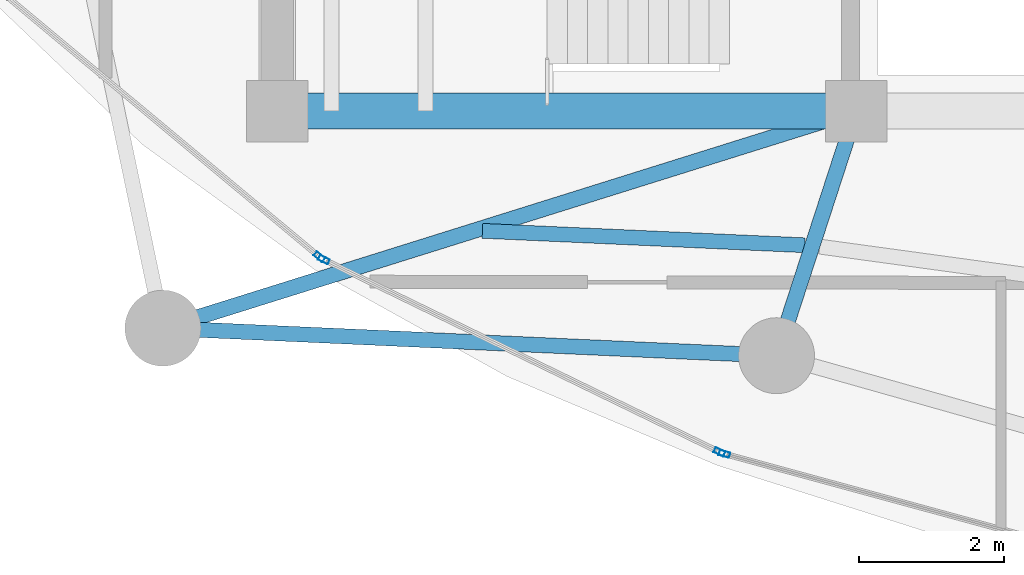
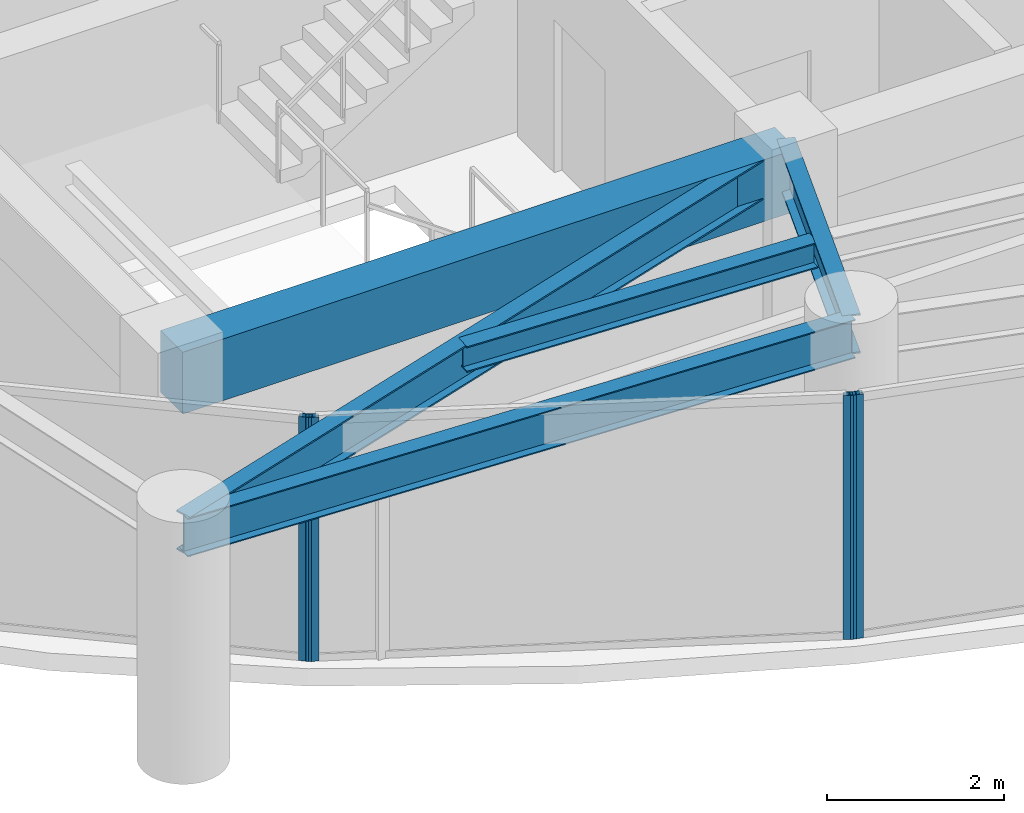
# One storey, part 2 of 29: 5 beams, 4 members, 3 elements without a shape of their own.
"""IFC4 building model written with IfcOpenShell, lengths in metres."""

from ifc_helpers import new_model, si_unit, direction, frame, origin, origin_2d, place, context, subcontext, project, spatial, rectangle, hollow_rectangle, i_section, extrude, material, layer, layer_set, material_profile, profile_set, type_object, element, aggregate, save


model = new_model("IFC4")

# Units and contexts
model_context = context("Model", 3, precision=1e-05, world=origin(), true_north=direction((0.0, 1.0)))
body_context = subcontext(model_context, "Body", "Model", "MODEL_VIEW")
ifc_project = project(units=[si_unit("LENGTHUNIT", "METRE"), si_unit("AREAUNIT", "SQUARE_METRE"), si_unit("VOLUMEUNIT", "CUBIC_METRE"), si_unit("PLANEANGLEUNIT", "RADIAN"), si_unit("MASSUNIT", "GRAM", prefix="KILO")], contexts=[model_context])

# Site, building, storey
site_placement = place(None, origin())
site = spatial("IfcSite", under=ifc_project, at=site_placement, CompositionType="ELEMENT")
building_placement = place(site_placement, origin())
building = spatial("IfcBuilding", under=site, at=building_placement, Name="Kazevale Care Tower and Concert Hall", CompositionType="ELEMENT")
storey_placement = place(building_placement, frame((0.0, 0.0, 199.199951171875)))
storey = spatial("IfcBuildingStorey", under=building, at=storey_placement, Name="L52", CompositionType="ELEMENT", Elevation=199.199951171875)

# Curtain wall, member
ifc_material_1 = material(Name="Aluminium 6063-T6 and Low-E Glass", Category="aluminium")
ifc_layer = layer(ifc_material_1, 0.179931640625)
ifc_layer_set = layer_set([ifc_layer], Name="Aluminium 6063-T6 and Low-E Glass")
curtain_wall_type = type_object("IfcCurtainWallType", Name="Sheltered Concave Balcony Curtain Wall CW-5", PredefinedType="NOTDEFINED", material=ifc_layer_set)
curtain_wall_1_placement = place(storey_placement, origin())
curtain_wall_1 = element("IfcCurtainWall", 1, at=curtain_wall_1_placement, inside=storey, type_object=curtain_wall_type, Name="cw:L52:f08", PredefinedType="NOTDEFINED")
ifc_material_2 = material(Name="Aluminium 6063-T6", Category="aluminium")
ifc_material_profile_1 = material_profile(ifc_material_2, hollow_rectangle(XDim=0.074951171875, YDim=0.14990234375, WallThickness=0.00390625, at=origin_2d()), Name="ALU75x150x4")
ifc_profile_set_1 = profile_set([ifc_material_profile_1], Name="Aluminium 6063-T6")
member_type = type_object("IfcMemberType", Name="CW-5 Mullion ALU75x150x4", PredefinedType="MULLION", material=ifc_profile_set_1)
member_1_placement = place(storey_placement, frame((28.18017578125, 18.863037109375, 0.0), z_axis=(0.0, 0.0, 1.0), x_axis=(-0.262848968947, -0.964836991167, 0.0)))
member_1 = element("IfcMember", 2, at=member_1_placement, type_object=member_type, Name="CW-5 mullion 2", PredefinedType="MULLION", context=body_context, shape_type="SweptSolid", body=[
    extrude(hollow_rectangle(XDim=0.074951171875, YDim=0.14990234375, WallThickness=0.00390625, at=origin_2d()), origin(), (0.0, 0.0, 1.0), 3.360107421875),
])
aggregate(curtain_wall_1, [member_1])

# Curtain wall, members
curtain_wall_2_placement = place(storey_placement, origin())
curtain_wall_2 = element("IfcCurtainWall", 3, at=curtain_wall_2_placement, inside=storey, type_object=curtain_wall_type, Name="cw:L52:f09", PredefinedType="NOTDEFINED")
member_2_placement = place(storey_placement, frame((28.1103515625, 18.889404296875, 0.0), z_axis=(0.0, 0.0, 1.0), x_axis=(-0.437238357087, -0.89934566163, 0.0)))
member_2 = element("IfcMember", 4, at=member_2_placement, type_object=member_type, Name="CW-5 mullion 1", PredefinedType="MULLION", context=body_context, shape_type="SweptSolid", body=[
    extrude(hollow_rectangle(XDim=0.074951171875, YDim=0.14990234375, WallThickness=0.00390625, at=origin_2d()), origin(), (0.0, 0.0, 1.0), 3.360107421875),
])
member_3_placement = place(storey_placement, frame((22.644775390625, 21.546630859375, 0.0), z_axis=(0.0, 0.0, 1.0), x_axis=(-0.437238357087, -0.89934566163, 0.0)))
member_3 = element("IfcMember", 5, at=member_3_placement, type_object=member_type, Name="CW-5 mullion 2", PredefinedType="MULLION", context=body_context, shape_type="SweptSolid", body=[
    extrude(hollow_rectangle(XDim=0.074951171875, YDim=0.14990234375, WallThickness=0.00390625, at=origin_2d()), origin(), (0.0, 0.0, 1.0), 3.360107421875),
])
aggregate(curtain_wall_2, [member_2, member_3])

# Curtain wall, member
curtain_wall_3_placement = place(storey_placement, origin())
curtain_wall_3 = element("IfcCurtainWall", 6, at=curtain_wall_3_placement, inside=storey, type_object=curtain_wall_type, Name="cw:L52:f10", PredefinedType="NOTDEFINED")
member_4_placement = place(storey_placement, frame((22.582275390625, 21.5869140625, 0.0), z_axis=(0.0, 0.0, 1.0), x_axis=(-0.639961217204, -0.768407210062, 0.0)))
member_4 = element("IfcMember", 7, at=member_4_placement, type_object=member_type, Name="CW-5 mullion 1", PredefinedType="MULLION", context=body_context, shape_type="SweptSolid", body=[
    extrude(hollow_rectangle(XDim=0.074951171875, YDim=0.14990234375, WallThickness=0.00390625, at=origin_2d()), origin(), (0.0, 0.0, 1.0), 3.360107421875),
])
aggregate(curtain_wall_3, [member_4])

# Beams
ifc_material_3 = material(Name="Concrete C60", Category="concrete")
ifc_material_profile_2 = material_profile(ifc_material_3, rectangle(XDim=0.5, YDim=0.85009765625, at=origin_2d()), Name="RC-B500x850")
ifc_profile_set_2 = profile_set([ifc_material_profile_2], Name="Concrete C60")
beam_type_1 = type_object("IfcBeamType", Name="Core Coupling Beam RC500x850", PredefinedType="LINTEL", material=ifc_profile_set_2)
beam_1_placement = place(storey_placement, frame((22.0, 23.60009765625, 2.93505859375), z_axis=(1.0, 0.0, 0.0), x_axis=(0.0, 1.0, 0.0)))
element("IfcBeam", 8, at=beam_1_placement, inside=storey, type_object=beam_type_1, Name="beam:L52:coretie:1", PredefinedType="LINTEL", context=body_context, shape_type="SweptSolid", body=[
    extrude(rectangle(XDim=0.5, YDim=0.85009765625, at=origin_2d()), origin(), (0.0, 0.0, 1.0), 8.0),
])
ifc_material_4 = material(Name="Steel ASTM A572 Gr 50", Category="steel")
ifc_material_profile_3 = material_profile(ifc_material_4, i_section(OverallWidth=0.2119140625, OverallDepth=0.5439453125, WebThickness=0.01318359375, FlangeThickness=0.021240234375, at=origin_2d()), Name="W530x123")
ifc_profile_set_3 = profile_set([ifc_material_profile_3], Name="Steel ASTM A572 Gr 50")
beam_type_2 = type_object("IfcBeamType", Name="Radial Floor Girder W530x123", PredefinedType="BEAM", material=ifc_profile_set_3)
beam_2_placement = place(storey_placement, frame((30.0, 23.60009765625, 3.088134765625), z_axis=(-0.954303255322, -0.298839918486, 0.0), x_axis=(0.298839918486, -0.954303255322, 0.0)))
element("IfcBeam", 9, at=beam_2_placement, inside=storey, type_object=beam_type_2, Name="beam:L52:rad:10", PredefinedType="BEAM", context=body_context, shape_type="SweptSolid", body=[
    extrude(i_section(OverallWidth=0.2119140625, OverallDepth=0.5439453125, WebThickness=0.01318359375, FlangeThickness=0.021240234375, at=origin_2d()), origin(), (0.0, 0.0, 1.0), 10.038818359375),
])
beam_3_placement = place(storey_placement, frame((30.0, 23.60009765625, 3.088134765625), z_axis=(-0.309482065101, -0.950905279921, 0.0), x_axis=(0.950905279921, -0.309482065101, 0.0)))
element("IfcBeam", 10, at=beam_3_placement, inside=storey, type_object=beam_type_2, Name="beam:L52:rad:11", PredefinedType="BEAM", context=body_context, shape_type="SweptSolid", body=[
    extrude(i_section(OverallWidth=0.2119140625, OverallDepth=0.5439453125, WebThickness=0.01318359375, FlangeThickness=0.021240234375, at=origin_2d()), origin(), (0.0, 0.0, 1.0), 3.5546875),
])
ifc_material_profile_4 = material_profile(ifc_material_4, i_section(OverallWidth=0.205078125, OverallDepth=0.35400390625, WebThickness=0.009521484375, FlangeThickness=0.016845703125, at=origin_2d()), Name="W360x79")
ifc_profile_set_4 = profile_set([ifc_material_profile_4], Name="Steel ASTM A572 Gr 50")
beam_type_3 = type_object("IfcBeamType", Name="Secondary Floor Joist W360x79", PredefinedType="JOIST", material=ifc_profile_set_4)
beam_4_placement = place(storey_placement, frame((24.8359375, 21.945068359375, 3.18310546875), z_axis=(0.999003687274, -0.044627713502, 0.0), x_axis=(0.044627713502, 0.999003687274, 0.0)))
element("IfcBeam", 11, at=beam_4_placement, inside=storey, type_object=beam_type_3, Name="beam:L52:joist:10", PredefinedType="JOIST", context=body_context, shape_type="SweptSolid", body=[
    extrude(i_section(OverallWidth=0.205078125, OverallDepth=0.35400390625, WebThickness=0.009521484375, FlangeThickness=0.016845703125, at=origin_2d()), origin(), (0.0, 0.0, 1.0), 4.45849609375),
])
ifc_material_profile_5 = material_profile(ifc_material_4, i_section(OverallWidth=0.208984375, OverallDepth=0.532958984375, WebThickness=0.01025390625, FlangeThickness=0.015625, at=origin_2d()), Name="W530x92")
ifc_profile_set_5 = profile_set([ifc_material_profile_5], Name="Steel ASTM A572 Gr 50")
beam_type_4 = type_object("IfcBeamType", Name="Upper Ring Beam W530x92", PredefinedType="BEAM", material=ifc_profile_set_5)
beam_5_placement = place(storey_placement, frame((20.419921875, 20.60009765625, 3.093505859375), z_axis=(0.998996808771, -0.044781425441, 0.0), x_axis=(0.044781425441, 0.998996808771, 0.0)))
element("IfcBeam", 12, at=beam_5_placement, inside=storey, type_object=beam_type_4, Name="beam:L52:ring:10", PredefinedType="BEAM", context=body_context, shape_type="SweptSolid", body=[
    extrude(i_section(OverallWidth=0.208984375, OverallDepth=0.532958984375, WebThickness=0.01025390625, FlangeThickness=0.015625, at=origin_2d()), origin(), (0.0, 0.0, 1.0), 8.488525390625),
])

save(model, "model.ifc")
